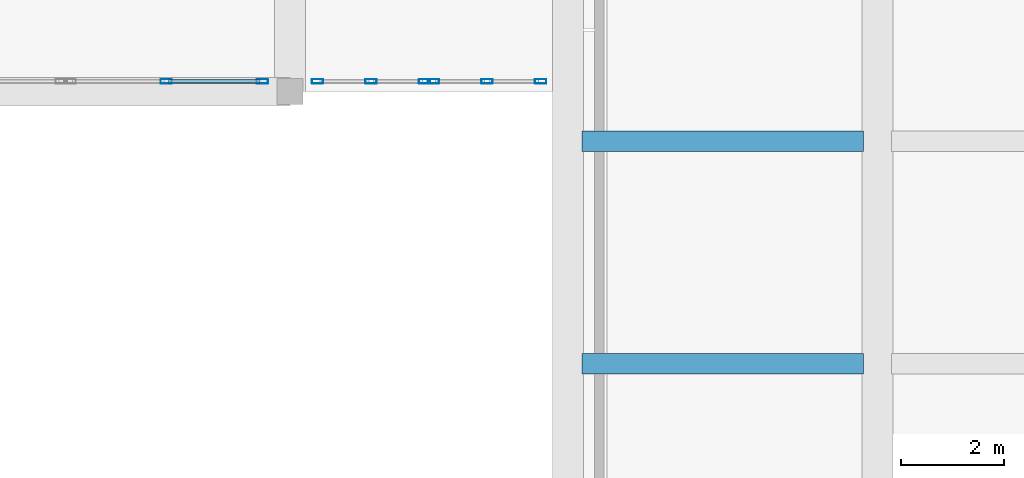
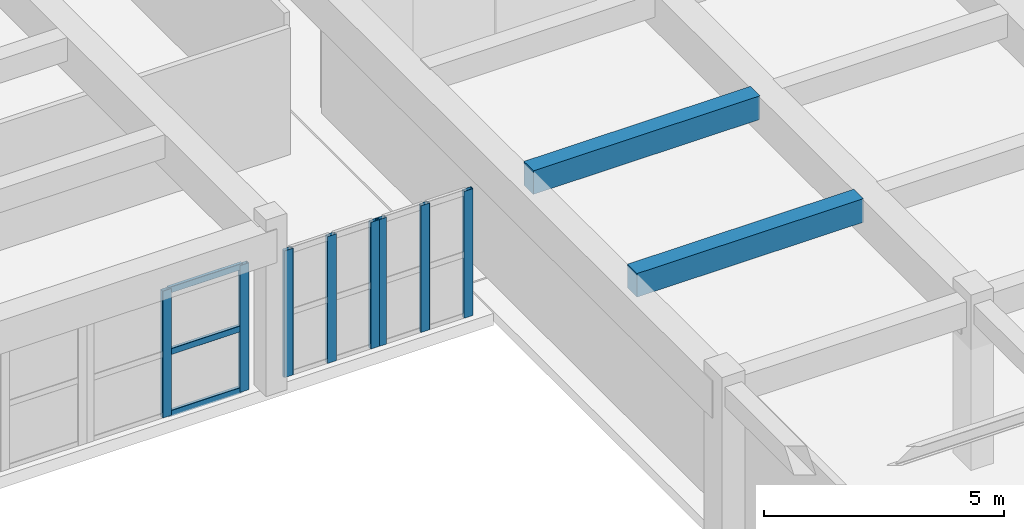
# One storey, part 22 of 92: 11 members, 2 beams, 3 elements without a shape of their own.
"""IFC4 building model written with IfcOpenShell, lengths in metres."""

from ifc_helpers import new_model, si_unit, direction, frame, origin, origin_2d, place, context, subcontext, project, spatial, rectangle, hollow_rectangle, extrude, material, layer, layer_set, material_profile, profile_set, type_object, element, aggregate, save


model = new_model("IFC4")

# Units and contexts
model_context = context("Model", 3, precision=1e-05, world=origin(), true_north=direction((0.0, 1.0)))
body_context = subcontext(model_context, "Body", "Model", "MODEL_VIEW")
ifc_project = project(units=[si_unit("LENGTHUNIT", "METRE"), si_unit("AREAUNIT", "SQUARE_METRE"), si_unit("VOLUMEUNIT", "CUBIC_METRE"), si_unit("PLANEANGLEUNIT", "RADIAN"), si_unit("MASSUNIT", "GRAM", prefix="KILO")], contexts=[model_context])

# Site, building, storey
site_placement = place(None, origin())
site = spatial("IfcSite", under=ifc_project, at=site_placement, CompositionType="ELEMENT")
building_placement = place(site_placement, origin())
building = spatial("IfcBuilding", under=site, at=building_placement, Name="Tarnavel Promenade Courthouse", CompositionType="ELEMENT")
storey_placement = place(building_placement, frame((0.0, 0.0, 5.39990234375)))
storey = spatial("IfcBuildingStorey", under=building, at=storey_placement, Name="L02", CompositionType="ELEMENT", Elevation=5.39990234375)

# Beams
ifc_material_1 = material(Name="Concrete C40/50", Category="concrete")
ifc_material_profile_1 = material_profile(ifc_material_1, rectangle(XDim=0.39990234375, YDim=0.60009765625, at=origin_2d()), Name="PT 400x600")
ifc_profile_set_1 = profile_set([ifc_material_profile_1], Name="Concrete C40/50")
beam_type = type_object("IfcBeamType", Name="Concrete C40/50 BM-PT-400x600 (PT 400x600)", PredefinedType="JOIST", material=ifc_profile_set_1)
for number, where, z_axis, x_axis, name in (
    (1, (120.27001953125, 41.52001953125, 3.93505859375), (1.0, 0.0, 0.0), (0.0, 1.0, 0.0), "L02 Secondary Floor Rib 1479"),
    (2, (120.27001953125, 45.840087890625, 3.93505859375), (1.0, 0.0, 0.0), (0.0, 1.0, 0.0), "L02 Secondary Floor Rib 1480"),
):
    element("IfcBeam", number, at=place(storey_placement, frame(where, z_axis=z_axis, x_axis=x_axis)), inside=storey, type_object=beam_type, Name=name, PredefinedType="JOIST", context=body_context, shape_type="SweptSolid", body=[
        extrude(rectangle(XDim=0.39990234375, YDim=0.60009765625, at=origin_2d()), origin(), (0.0, 0.0, 1.0), 5.4599609375),
    ])

# Curtain wall, members
ifc_material_2 = material(Name="Thermally Broken Anodised Aluminium Curtain Wall System", Category="aluminium")
ifc_layer = layer(ifc_material_2, 0.239990234375)
ifc_layer_set = layer_set([ifc_layer], Name="Thermally Broken Anodised Aluminium Curtain Wall System")
curtain_wall_type = type_object("IfcCurtainWallType", Name="Thermally Broken Aluminium Triple-Glazed Curtain Wall CW-WG-S", PredefinedType="NOTDEFINED", material=ifc_layer_set)
curtain_wall_1_placement = place(storey_placement, origin())
curtain_wall_1 = element("IfcCurtainWall", 3, at=curtain_wall_1_placement, inside=storey, type_object=curtain_wall_type, Name="L02 Winter-Garden South Solar Curtain Wall 079", PredefinedType="NOTDEFINED")
ifc_material_3 = material(Name="Thermally Broken Anodised Aluminium Frame", Category="aluminium")
ifc_material_profile_2 = material_profile(ifc_material_3, hollow_rectangle(XDim=0.090087890625, YDim=0.219970703125, WallThickness=0.0048828125, InnerFilletRadius=0.0048828125, OuterFilletRadius=0.010009765625, at=origin_2d()), Name="CWM 220x90x5")
ifc_profile_set_2 = profile_set([ifc_material_profile_2], Name="Thermally Broken Anodised Aluminium Frame")
member_type_1 = type_object("IfcMemberType", Name="Thermally Broken Anodised Aluminium CWM-175 (CWM 220x90x5)", PredefinedType="MULLION", material=ifc_profile_set_2)
member_1_placement = place(storey_placement, frame((112.199951171875, 47.0, 0.0), z_axis=(0.0, 0.0, 1.0), x_axis=(0.0, 1.0, 0.0)))
member_1 = element("IfcMember", 4, at=member_1_placement, type_object=member_type_1, Name="CW-02 mullion 2", PredefinedType="MULLION", context=body_context, shape_type="SweptSolid", body=[
    extrude(hollow_rectangle(XDim=0.090087890625, YDim=0.219970703125, WallThickness=0.0048828125, InnerFilletRadius=0.0048828125, OuterFilletRadius=0.010009765625, at=origin_2d()), origin(), (0.0, 0.0, 1.0), 3.22998046875),
])
member_2_placement = place(storey_placement, frame((114.06494140625, 47.0, 0.0), z_axis=(0.0, 0.0, 1.0), x_axis=(0.0, 1.0, 0.0)))
member_2 = element("IfcMember", 5, at=member_2_placement, type_object=member_type_1, Name="CW-02 mullion 3", PredefinedType="MULLION", context=body_context, shape_type="SweptSolid", body=[
    extrude(hollow_rectangle(XDim=0.090087890625, YDim=0.219970703125, WallThickness=0.0048828125, InnerFilletRadius=0.0048828125, OuterFilletRadius=0.010009765625, at=origin_2d()), origin(), (0.0, 0.0, 1.0), 3.22998046875),
])

curtain_wall_2_placement = place(storey_placement, origin())
curtain_wall_2 = element("IfcCurtainWall", 6, at=curtain_wall_2_placement, inside=storey, type_object=curtain_wall_type, Name="L02 Winter-Garden South Solar Curtain Wall 080", PredefinedType="NOTDEFINED")
member_3_placement = place(storey_placement, frame((115.135009765625, 47.0, 0.0), z_axis=(0.0, 0.0, 1.0), x_axis=(0.0, 1.0, 0.0)))
member_3 = element("IfcMember", 7, at=member_3_placement, type_object=member_type_1, Name="CW-02 mullion 1", PredefinedType="MULLION", context=body_context, shape_type="SweptSolid", body=[
    extrude(hollow_rectangle(XDim=0.090087890625, YDim=0.219970703125, WallThickness=0.0048828125, InnerFilletRadius=0.0048828125, OuterFilletRadius=0.010009765625, at=origin_2d()), origin(), (0.0, 0.0, 1.0), 3.22998046875),
])
member_4_placement = place(storey_placement, frame((116.175048828125, 47.0, 0.0), z_axis=(0.0, 0.0, 1.0), x_axis=(0.0, 1.0, 0.0)))
member_4 = element("IfcMember", 8, at=member_4_placement, type_object=member_type_1, Name="CW-02 mullion 2", PredefinedType="MULLION", context=body_context, shape_type="SweptSolid", body=[
    extrude(hollow_rectangle(XDim=0.090087890625, YDim=0.219970703125, WallThickness=0.0048828125, InnerFilletRadius=0.0048828125, OuterFilletRadius=0.010009765625, at=origin_2d()), origin(), (0.0, 0.0, 1.0), 3.22998046875),
])
member_5_placement = place(storey_placement, frame((117.215087890625, 47.0, 0.0), z_axis=(0.0, 0.0, 1.0), x_axis=(0.0, 1.0, 0.0)))
member_5 = element("IfcMember", 9, at=member_5_placement, type_object=member_type_1, Name="CW-02 mullion 3", PredefinedType="MULLION", context=body_context, shape_type="SweptSolid", body=[
    extrude(hollow_rectangle(XDim=0.090087890625, YDim=0.219970703125, WallThickness=0.0048828125, InnerFilletRadius=0.0048828125, OuterFilletRadius=0.010009765625, at=origin_2d()), origin(), (0.0, 0.0, 1.0), 3.22998046875),
])
aggregate(curtain_wall_2, [member_3, member_4, member_5])

curtain_wall_3_placement = place(storey_placement, origin())
curtain_wall_3 = element("IfcCurtainWall", 10, at=curtain_wall_3_placement, inside=storey, type_object=curtain_wall_type, Name="L02 Winter-Garden South Solar Curtain Wall 081", PredefinedType="NOTDEFINED")
member_6_placement = place(storey_placement, frame((117.385009765625, 47.0, 0.0), z_axis=(0.0, 0.0, 1.0), x_axis=(0.0, 1.0, 0.0)))
member_6 = element("IfcMember", 11, at=member_6_placement, type_object=member_type_1, Name="CW-02 mullion 1", PredefinedType="MULLION", context=body_context, shape_type="SweptSolid", body=[
    extrude(hollow_rectangle(XDim=0.090087890625, YDim=0.219970703125, WallThickness=0.0048828125, InnerFilletRadius=0.0048828125, OuterFilletRadius=0.010009765625, at=origin_2d()), origin(), (0.0, 0.0, 1.0), 3.22998046875),
])
member_7_placement = place(storey_placement, frame((118.425048828125, 47.0, 0.0), z_axis=(0.0, 0.0, 1.0), x_axis=(0.0, 1.0, 0.0)))
member_7 = element("IfcMember", 12, at=member_7_placement, type_object=member_type_1, Name="CW-02 mullion 2", PredefinedType="MULLION", context=body_context, shape_type="SweptSolid", body=[
    extrude(hollow_rectangle(XDim=0.090087890625, YDim=0.219970703125, WallThickness=0.0048828125, InnerFilletRadius=0.0048828125, OuterFilletRadius=0.010009765625, at=origin_2d()), origin(), (0.0, 0.0, 1.0), 3.22998046875),
])
member_8_placement = place(storey_placement, frame((119.465087890625, 47.0, 0.0), z_axis=(0.0, 0.0, 1.0), x_axis=(0.0, 1.0, 0.0)))
member_8 = element("IfcMember", 13, at=member_8_placement, type_object=member_type_1, Name="CW-02 mullion 3", PredefinedType="MULLION", context=body_context, shape_type="SweptSolid", body=[
    extrude(hollow_rectangle(XDim=0.090087890625, YDim=0.219970703125, WallThickness=0.0048828125, InnerFilletRadius=0.0048828125, OuterFilletRadius=0.010009765625, at=origin_2d()), origin(), (0.0, 0.0, 1.0), 3.22998046875),
])
aggregate(curtain_wall_3, [member_6, member_7, member_8])

# Member
ifc_material_profile_3 = material_profile(ifc_material_3, hollow_rectangle(XDim=0.080078125, YDim=0.159912109375, WallThickness=0.0048828125, InnerFilletRadius=0.0048828125, OuterFilletRadius=0.010009765625, at=origin_2d()), Name="CWT 160x80x5")
ifc_profile_set_3 = profile_set([ifc_material_profile_3], Name="Thermally Broken Anodised Aluminium Frame")
member_type_2 = type_object("IfcMemberType", Name="Thermally Broken Anodised Aluminium CWT-145 (CWT 160x80x5)", PredefinedType="USERDEFINED", material=ifc_profile_set_3)
member_9_placement = place(storey_placement, frame((112.2451171875, 47.0, 0.0400390625), z_axis=(1.0, 0.0, 0.0), x_axis=(0.0, 1.0, 0.0)))
member_9 = element("IfcMember", 14, at=member_9_placement, type_object=member_type_2, Name="CW-02 transom 2.1", ObjectType="TRANSOM", PredefinedType="USERDEFINED", context=body_context, shape_type="SweptSolid", body=[
    extrude(hollow_rectangle(XDim=0.080078125, YDim=0.159912109375, WallThickness=0.0048828125, InnerFilletRadius=0.0048828125, OuterFilletRadius=0.010009765625, at=origin_2d()), origin(), (0.0, 0.0, 1.0), 1.77490234375),
])

member_10_placement = place(storey_placement, frame((112.2451171875, 47.0, 1.614990234375), z_axis=(1.0, 0.0, 0.0), x_axis=(0.0, 1.0, 0.0)))
member_10 = element("IfcMember", 15, at=member_10_placement, type_object=member_type_2, Name="CW-02 transom 2.2", ObjectType="TRANSOM", PredefinedType="USERDEFINED", context=body_context, shape_type="SweptSolid", body=[
    extrude(hollow_rectangle(XDim=0.080078125, YDim=0.159912109375, WallThickness=0.0048828125, InnerFilletRadius=0.0048828125, OuterFilletRadius=0.010009765625, at=origin_2d()), origin(), (0.0, 0.0, 1.0), 1.77490234375),
])

member_11_placement = place(storey_placement, frame((112.2451171875, 47.0, 3.190185546875), z_axis=(1.0, 0.0, 0.0), x_axis=(0.0, 1.0, 0.0)))
member_11 = element("IfcMember", 16, at=member_11_placement, type_object=member_type_2, Name="CW-02 transom 2.3", ObjectType="TRANSOM", PredefinedType="USERDEFINED", context=body_context, shape_type="SweptSolid", body=[
    extrude(hollow_rectangle(XDim=0.080078125, YDim=0.159912109375, WallThickness=0.0048828125, InnerFilletRadius=0.0048828125, OuterFilletRadius=0.010009765625, at=origin_2d()), origin(), (0.0, 0.0, 1.0), 1.77490234375),
])

aggregate(curtain_wall_1, [member_1, member_2, member_9, member_10, member_11])

save(model, "model.ifc")
